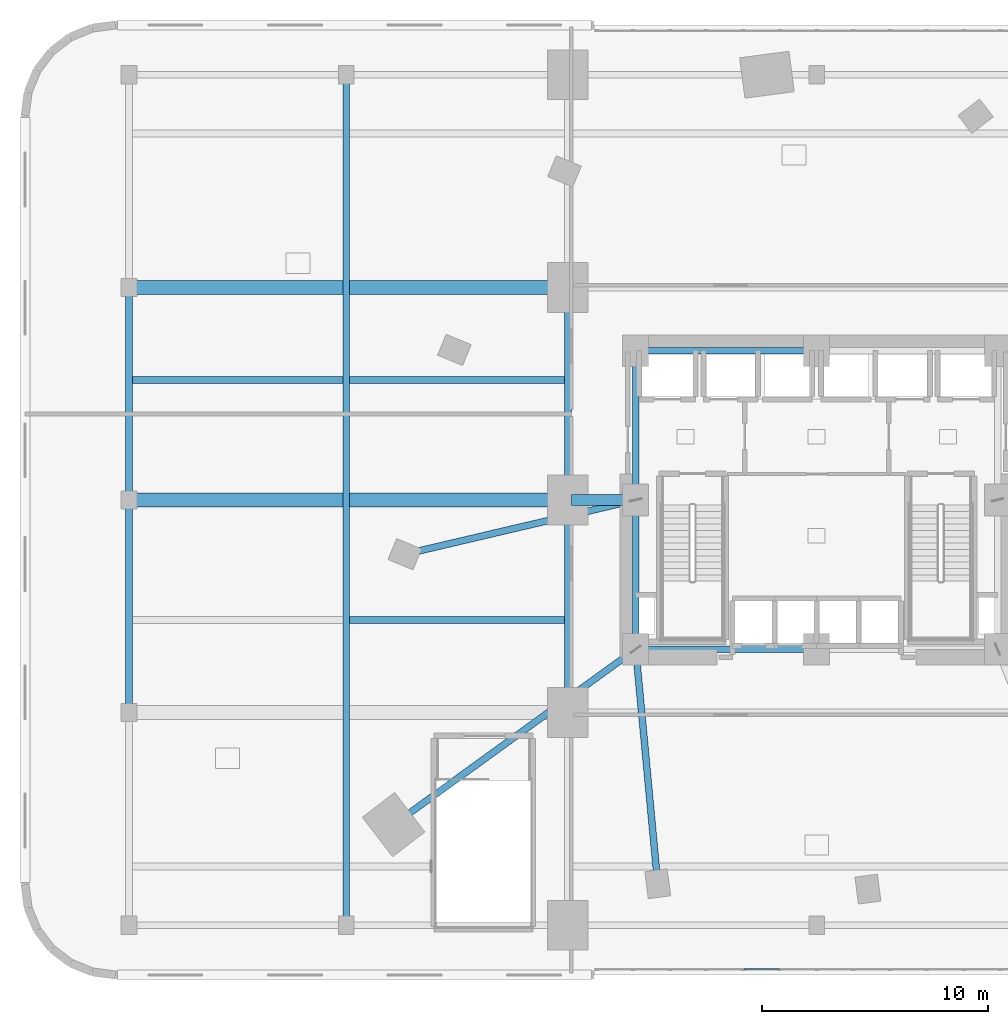
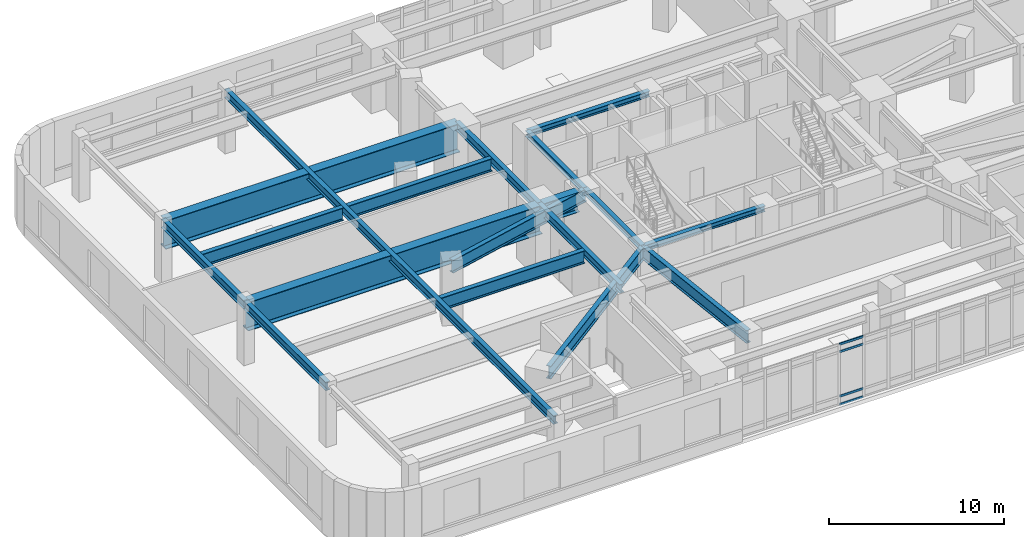
# One storey, part 3 of 20: 18 beams, 4 members, 1 element without a shape of its own.
"""IFC4 building model written with IfcOpenShell, lengths in metres."""

from ifc_helpers import new_model, si_unit, direction, frame, origin, origin_2d, place, context, subcontext, project, spatial, hollow_rectangle, i_section, extrude, material, layer, layer_set, material_profile, profile_set, type_object, element, aggregate, save


model = new_model("IFC4")

# Units and contexts
model_context = context("Model", 3, precision=1e-05, world=origin(), true_north=direction((0.0, 1.0)))
body_context = subcontext(model_context, "Body", "Model", "MODEL_VIEW")
ifc_project = project(units=[si_unit("LENGTHUNIT", "METRE"), si_unit("AREAUNIT", "SQUARE_METRE"), si_unit("VOLUMEUNIT", "CUBIC_METRE"), si_unit("PLANEANGLEUNIT", "RADIAN"), si_unit("MASSUNIT", "GRAM", prefix="KILO")], contexts=[model_context])

# Site, building, storey
site_placement = place(None, origin())
site = spatial("IfcSite", under=ifc_project, at=site_placement, CompositionType="ELEMENT")
building_placement = place(site_placement, origin())
building = spatial("IfcBuilding", under=site, at=building_placement, Name="Ndelora Gate Hotel", CompositionType="ELEMENT")
storey_placement = place(building_placement, frame((0.0, 0.0, 26.0)))
storey = spatial("IfcBuildingStorey", under=building, at=storey_placement, Name="L05", CompositionType="ELEMENT", Elevation=26.0)

# Beams
ifc_material_1 = material(Name="Steel S460", Category="steel")
ifc_material_profile_1 = material_profile(ifc_material_1, i_section(OverallWidth=0.300048828125, OverallDepth=0.89990234375, WebThickness=0.0185546875, FlangeThickness=0.034912109375, FilletRadius=0.030029296875, at=origin_2d()), Name="HEB 900")
ifc_profile_set_1 = profile_set([ifc_material_profile_1], Name="Steel S460")
beam_type_1 = type_object("IfcBeamType", Name="BM-BELT-900", PredefinedType="SPANDREL", material=ifc_profile_set_1)
beam_1_placement = place(storey_placement, frame((-20.64990234375, -5.300048828125, 3.800048828125), z_axis=(1.0, 0.0, 0.0), x_axis=(0.0, 1.0, 0.0)))
element("IfcBeam", 1, at=beam_1_placement, inside=storey, type_object=beam_type_1, Name="L05 Podium Composite Secondary Joist 2", PredefinedType="SPANDREL", context=body_context, shape_type="SweptSolid", body=[
    extrude(i_section(OverallWidth=0.300048828125, OverallDepth=0.89990234375, WebThickness=0.0185546875, FlangeThickness=0.034912109375, FilletRadius=0.030029296875, at=origin_2d()), origin(), (0.0, 0.0, 1.0), 9.5),
])
beam_2_placement = place(storey_placement, frame((-30.25, 5.300048828125, 3.7900390625), z_axis=(1.0, 0.0, 0.0), x_axis=(0.0, 1.0, 0.0)))
element("IfcBeam", 2, at=beam_2_placement, inside=storey, type_object=beam_type_1, Name="L05 Podium Composite Secondary Joist 1", PredefinedType="SPANDREL", context=body_context, shape_type="SweptSolid", body=[
    extrude(i_section(OverallWidth=0.300048828125, OverallDepth=0.89990234375, WebThickness=0.0185546875, FlangeThickness=0.034912109375, FilletRadius=0.030029296875, at=origin_2d()), origin(), (0.0, 0.0, 1.0), 9.300048828125),
])
beam_3_placement = place(storey_placement, frame((-20.64990234375, 5.300048828125, 3.7900390625), z_axis=(1.0, 0.0, 0.0), x_axis=(0.0, 1.0, 0.0)))
element("IfcBeam", 3, at=beam_3_placement, inside=storey, type_object=beam_type_1, Name="L05 Podium Composite Secondary Joist 2", PredefinedType="SPANDREL", context=body_context, shape_type="SweptSolid", body=[
    extrude(i_section(OverallWidth=0.300048828125, OverallDepth=0.89990234375, WebThickness=0.0185546875, FlangeThickness=0.034912109375, FilletRadius=0.030029296875, at=origin_2d()), origin(), (0.0, 0.0, 1.0), 9.5),
])
beam_4_placement = place(storey_placement, frame((-8.0, 0.0, 3.800048828125), z_axis=(-0.973517848051, -0.22861102232, 0.0), x_axis=(0.22861102232, -0.973517848051, 0.0)))
element("IfcBeam", 4, at=beam_4_placement, inside=storey, type_object=beam_type_1, Name="L05 Tower Root Radial Tie Beam 4", PredefinedType="SPANDREL", context=body_context, shape_type="SweptSolid", body=[
    extrude(i_section(OverallWidth=0.300048828125, OverallDepth=0.89990234375, WebThickness=0.0185546875, FlangeThickness=0.034912109375, FilletRadius=0.030029296875, at=origin_2d()), origin(), (0.0, 0.0, 1.0), 10.48486328125),
])
beam_5_placement = place(storey_placement, frame((-8.0, -6.60009765625, 3.800048828125), z_axis=(-0.809912157619, -0.586551188679, 0.0), x_axis=(0.586551188679, -0.809912157619, 0.0)))
element("IfcBeam", 5, at=beam_5_placement, inside=storey, type_object=beam_type_1, Name="L05 Tower Root Radial Tie Beam 5", PredefinedType="SPANDREL", context=body_context, shape_type="SweptSolid", body=[
    extrude(i_section(OverallWidth=0.300048828125, OverallDepth=0.89990234375, WebThickness=0.0185546875, FlangeThickness=0.034912109375, FilletRadius=0.030029296875, at=origin_2d()), origin(), (0.0, 0.0, 1.0), 13.213623046875),
])
beam_6_placement = place(storey_placement, frame((-8.0, -6.60009765625, 3.800048828125), z_axis=(0.093395913855, -0.995629049031, 0.0), x_axis=(0.995629049031, 0.093395913855, 0.0)))
element("IfcBeam", 6, at=beam_6_placement, inside=storey, type_object=beam_type_1, Name="L05 Tower Root Radial Tie Beam 6", PredefinedType="SPANDREL", context=body_context, shape_type="SweptSolid", body=[
    extrude(i_section(OverallWidth=0.300048828125, OverallDepth=0.89990234375, WebThickness=0.0185546875, FlangeThickness=0.034912109375, FilletRadius=0.030029296875, at=origin_2d()), origin(), (0.0, 0.0, 1.0), 10.41162109375),
])
ifc_material_2 = material(Name="Steel S355", Category="steel")
ifc_material_profile_2 = material_profile(ifc_material_2, i_section(OverallWidth=0.300048828125, OverallDepth=0.39990234375, WebThickness=0.013427734375, FlangeThickness=0.02392578125, FilletRadius=0.027099609375, at=origin_2d()), Name="HEB 400")
ifc_profile_set_2 = profile_set([ifc_material_profile_2], Name="Steel S355")
beam_type_2 = type_object("IfcBeamType", Name="BM-CORE-400", PredefinedType="BEAM", material=ifc_profile_set_2)
beam_7_placement = place(storey_placement, frame((-8.0, 6.60009765625, 4.050048828125), z_axis=(1.0, 0.0, 0.0), x_axis=(0.0, 1.0, 0.0)))
element("IfcBeam", 7, at=beam_7_placement, inside=storey, type_object=beam_type_2, Name="L05 Core Tie Girder CC7-CC6", PredefinedType="BEAM", context=body_context, shape_type="SweptSolid", body=[
    extrude(i_section(OverallWidth=0.300048828125, OverallDepth=0.39990234375, WebThickness=0.013427734375, FlangeThickness=0.02392578125, FilletRadius=0.027099609375, at=origin_2d()), origin(), (0.0, 0.0, 1.0), 8.0),
])
for number, where, z_axis, x_axis, name in (
    (8, (-8.0, -6.60009765625, 4.050048828125), (0.0, 1.0, 0.0), (-1.0, 0.0, 0.0), "L05 Core Tie Girder CC1-CC8"),
    (9, (-8.0, 0.0, 4.050048828125), (0.0, 1.0, 0.0), (-1.0, 0.0, 0.0), "L05 Core Tie Girder CC8-CC7"),
):
    element("IfcBeam", number, at=place(storey_placement, frame(where, z_axis=z_axis, x_axis=x_axis)), inside=storey, type_object=beam_type_2, Name=name, PredefinedType="BEAM", context=body_context, shape_type="SweptSolid", body=[
        extrude(i_section(OverallWidth=0.300048828125, OverallDepth=0.39990234375, WebThickness=0.013427734375, FlangeThickness=0.02392578125, FilletRadius=0.027099609375, at=origin_2d()), origin(), (0.0, 0.0, 1.0), 6.60009765625),
    ])
beam_8_placement = place(storey_placement, frame((-8.0, -6.60009765625, 4.050048828125), z_axis=(1.0, 0.0, 0.0), x_axis=(0.0, 1.0, 0.0)))
element("IfcBeam", 10, at=beam_8_placement, inside=storey, type_object=beam_type_2, Name="L05 Core Tie Girder CC1-CC2", PredefinedType="BEAM", context=body_context, shape_type="SweptSolid", body=[
    extrude(i_section(OverallWidth=0.300048828125, OverallDepth=0.39990234375, WebThickness=0.013427734375, FlangeThickness=0.02392578125, FilletRadius=0.027099609375, at=origin_2d()), origin(), (0.0, 0.0, 1.0), 8.0),
])
ifc_material_profile_3 = material_profile(ifc_material_2, i_section(OverallWidth=0.300048828125, OverallDepth=0.60009765625, WebThickness=0.015380859375, FlangeThickness=0.030029296875, FilletRadius=0.027099609375, at=origin_2d()), Name="HEB 600")
ifc_profile_set_3 = profile_set([ifc_material_profile_3], Name="Steel S355")
beam_type_3 = type_object("IfcBeamType", Name="BM-POD-600", PredefinedType="BEAM", material=ifc_profile_set_3)
for number, where, z_axis, x_axis, name in (
    (11, (-30.39990234375, -9.39990234375, 3.93994140625), (0.0, 1.0, 0.0), (-1.0, 0.0, 0.0), "L05 Podium Longitudinal Girder X=-30.4"),
    (12, (-30.39990234375, 0.0, 3.93994140625), (0.0, 1.0, 0.0), (-1.0, 0.0, 0.0), "L05 Podium Longitudinal Girder X=-30.4"),
):
    element("IfcBeam", number, at=place(storey_placement, frame(where, z_axis=z_axis, x_axis=x_axis)), inside=storey, type_object=beam_type_3, Name=name, PredefinedType="BEAM", context=body_context, shape_type="SweptSolid", body=[
        extrude(i_section(OverallWidth=0.300048828125, OverallDepth=0.60009765625, WebThickness=0.015380859375, FlangeThickness=0.030029296875, FilletRadius=0.027099609375, at=origin_2d()), origin(), (0.0, 0.0, 1.0), 9.39990234375),
    ])
beam_9_placement = place(storey_placement, frame((-20.800048828125, -18.800048828125, 3.93994140625), z_axis=(0.0, 1.0, 0.0), x_axis=(-1.0, 0.0, 0.0)))
element("IfcBeam", 13, at=beam_9_placement, inside=storey, type_object=beam_type_3, Name="L05 Podium Longitudinal Girder X=-20.8", PredefinedType="BEAM", context=body_context, shape_type="SweptSolid", body=[
    extrude(i_section(OverallWidth=0.300048828125, OverallDepth=0.60009765625, WebThickness=0.015380859375, FlangeThickness=0.030029296875, FilletRadius=0.027099609375, at=origin_2d()), origin(), (0.0, 0.0, 1.0), 37.60009765625),
])
for number, where, z_axis, x_axis, name in (
    (14, (-11.0, -9.39990234375, 3.949951171875), (0.0, 1.0, 0.0), (-1.0, 0.0, 0.0), "L05 Podium Longitudinal Girder X=-11.0"),
    (15, (-11.0, 0.0, 3.949951171875), (0.0, 1.0, 0.0), (-1.0, 0.0, 0.0), "L05 Podium Longitudinal Girder X=-11.0"),
):
    element("IfcBeam", number, at=place(storey_placement, frame(where, z_axis=z_axis, x_axis=x_axis)), inside=storey, type_object=beam_type_3, Name=name, PredefinedType="BEAM", context=body_context, shape_type="SweptSolid", body=[
        extrude(i_section(OverallWidth=0.300048828125, OverallDepth=0.60009765625, WebThickness=0.015380859375, FlangeThickness=0.030029296875, FilletRadius=0.027099609375, at=origin_2d()), origin(), (0.0, 0.0, 1.0), 9.39990234375),
    ])
ifc_material_profile_4 = material_profile(ifc_material_1, i_section(OverallWidth=0.5, OverallDepth=1.39990234375, WebThickness=0.02392578125, FlangeThickness=0.035888671875, FilletRadius=0.02197265625, at=origin_2d()), Name="PG 1400x500x36")
ifc_profile_set_4 = profile_set([ifc_material_profile_4], Name="Steel S460")
beam_type_4 = type_object("IfcBeamType", Name="BM-TR-1400", PredefinedType="BEAM", material=ifc_profile_set_4)
beam_10_placement = place(storey_placement, frame((-10.85009765625, 0.0, 3.550048828125), z_axis=(1.0, 0.0, 0.0), x_axis=(0.0, 1.0, 0.0)))
element("IfcBeam", 16, at=beam_10_placement, inside=storey, type_object=beam_type_4, Name="L05 structural beam TG-3", PredefinedType="BEAM", context=body_context, shape_type="SweptSolid", body=[
    extrude(i_section(OverallWidth=0.5, OverallDepth=1.39990234375, WebThickness=0.02392578125, FlangeThickness=0.035888671875, FilletRadius=0.02197265625, at=origin_2d()), origin(), (0.0, 0.0, 1.0), 2.35009765625),
])
ifc_material_profile_5 = material_profile(ifc_material_1, i_section(OverallWidth=0.6201171875, OverallDepth=2.0, WebThickness=0.028076171875, FlangeThickness=0.0400390625, FilletRadius=0.02392578125, at=origin_2d()), Name="PG 2000x620x40")
ifc_profile_set_5 = profile_set([ifc_material_profile_5], Name="Steel S460")
beam_type_5 = type_object("IfcBeamType", Name="BM-TR-2000", PredefinedType="BEAM", material=ifc_profile_set_5)
for number, where, z_axis, x_axis, name in (
    (17, (-30.39990234375, 0.0, 3.239990234375), (1.0, 0.0, 0.0), (0.0, 1.0, 0.0), "L05 Podium Transverse Girder Y=+0.0"),
    (18, (-30.39990234375, 9.39990234375, 3.239990234375), (1.0, 0.0, 0.0), (0.0, 1.0, 0.0), "L05 Podium Transverse Girder Y=+9.4"),
):
    element("IfcBeam", number, at=place(storey_placement, frame(where, z_axis=z_axis, x_axis=x_axis)), inside=storey, type_object=beam_type_5, Name=name, PredefinedType="BEAM", context=body_context, shape_type="SweptSolid", body=[
        extrude(i_section(OverallWidth=0.6201171875, OverallDepth=2.0, WebThickness=0.028076171875, FlangeThickness=0.0400390625, FilletRadius=0.02392578125, at=origin_2d()), origin(), (0.0, 0.0, 1.0), 19.39990234375),
    ])

# Curtain wall, members
ifc_material_3 = material(Name="Bronze Anodised Unitised Aluminium and Low-E Glass", Category="aluminium")
ifc_layer = layer(ifc_material_3, 0.219970703125)
ifc_layer_set = layer_set([ifc_layer], Name="Bronze Anodised Unitised Aluminium and Low-E Glass")
curtain_wall_type = type_object("IfcCurtainWallType", Name="CW-SYS-2", PredefinedType="NOTDEFINED", material=ifc_layer_set)
curtain_wall_placement = place(storey_placement, origin())
curtain_wall = element("IfcCurtainWall", 19, at=curtain_wall_placement, inside=storey, type_object=curtain_wall_type, Name="L05 South Podium Foyer Curtain Wall CW2", PredefinedType="NOTDEFINED")
ifc_material_4 = material(Name="Bronze Anodised Aluminium 6063-T6", Category="aluminium")
ifc_material_profile_6 = material_profile(ifc_material_4, hollow_rectangle(XDim=0.06494140625, YDim=0.159912109375, WallThickness=0.00390625, InnerFilletRadius=0.00390625, OuterFilletRadius=0.008056640625, at=origin_2d()), Name="ALU 160x65x4")
ifc_profile_set_6 = profile_set([ifc_material_profile_6], Name="Bronze Anodised Aluminium 6063-T6")
member_type = type_object("IfcMemberType", Name="MB-CW-TRN150", PredefinedType="USERDEFINED", material=ifc_profile_set_6)
member_1_placement = place(storey_placement, frame((-3.220947265625, -20.75, 0.032470703125), z_axis=(1.0, 0.0, 0.0), x_axis=(0.0, 1.0, 0.0)))
member_1 = element("IfcMember", 20, at=member_1_placement, type_object=member_type, Name="CW2 transom 5.1", ObjectType="TRANSOM", PredefinedType="USERDEFINED", context=body_context, shape_type="SweptSolid", body=[
    extrude(hollow_rectangle(XDim=0.06494140625, YDim=0.159912109375, WallThickness=0.00390625, InnerFilletRadius=0.00390625, OuterFilletRadius=0.008056640625, at=origin_2d()), origin(), (0.0, 0.0, 1.0), 1.56689453125),
])
member_2_placement = place(storey_placement, frame((-3.220947265625, -20.75, 0.60009765625), z_axis=(1.0, 0.0, 0.0), x_axis=(0.0, 1.0, 0.0)))
member_2 = element("IfcMember", 21, at=member_2_placement, type_object=member_type, Name="CW2 transom 5.2", ObjectType="TRANSOM", PredefinedType="USERDEFINED", context=body_context, shape_type="SweptSolid", body=[
    extrude(hollow_rectangle(XDim=0.06494140625, YDim=0.159912109375, WallThickness=0.00390625, InnerFilletRadius=0.00390625, OuterFilletRadius=0.008056640625, at=origin_2d()), origin(), (0.0, 0.0, 1.0), 1.56689453125),
])
member_3_placement = place(storey_placement, frame((-3.220947265625, -20.75, 3.699951171875), z_axis=(1.0, 0.0, 0.0), x_axis=(0.0, 1.0, 0.0)))
member_3 = element("IfcMember", 22, at=member_3_placement, type_object=member_type, Name="CW2 transom 5.3", ObjectType="TRANSOM", PredefinedType="USERDEFINED", context=body_context, shape_type="SweptSolid", body=[
    extrude(hollow_rectangle(XDim=0.06494140625, YDim=0.159912109375, WallThickness=0.00390625, InnerFilletRadius=0.00390625, OuterFilletRadius=0.008056640625, at=origin_2d()), origin(), (0.0, 0.0, 1.0), 1.56689453125),
])
member_4_placement = place(storey_placement, frame((-3.220947265625, -20.75, 4.217529296875), z_axis=(1.0, 0.0, 0.0), x_axis=(0.0, 1.0, 0.0)))
member_4 = element("IfcMember", 23, at=member_4_placement, type_object=member_type, Name="CW2 transom 5.4", ObjectType="TRANSOM", PredefinedType="USERDEFINED", context=body_context, shape_type="SweptSolid", body=[
    extrude(hollow_rectangle(XDim=0.06494140625, YDim=0.159912109375, WallThickness=0.00390625, InnerFilletRadius=0.00390625, OuterFilletRadius=0.008056640625, at=origin_2d()), origin(), (0.0, 0.0, 1.0), 1.56689453125),
])
aggregate(curtain_wall, [member_1, member_2, member_3, member_4])

save(model, "model.ifc")
